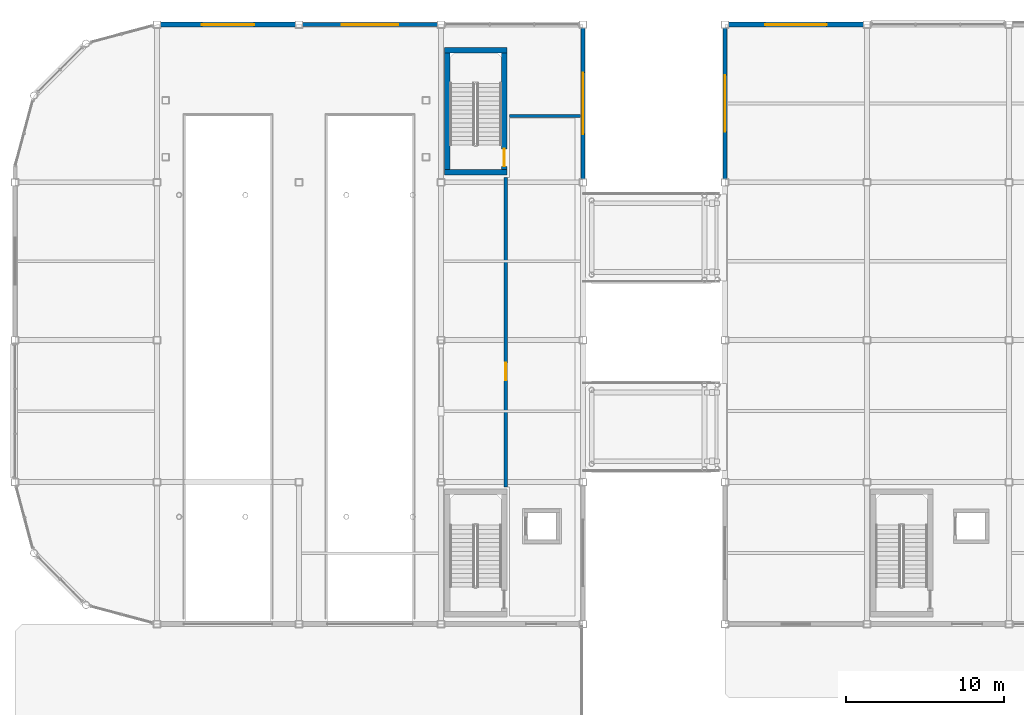
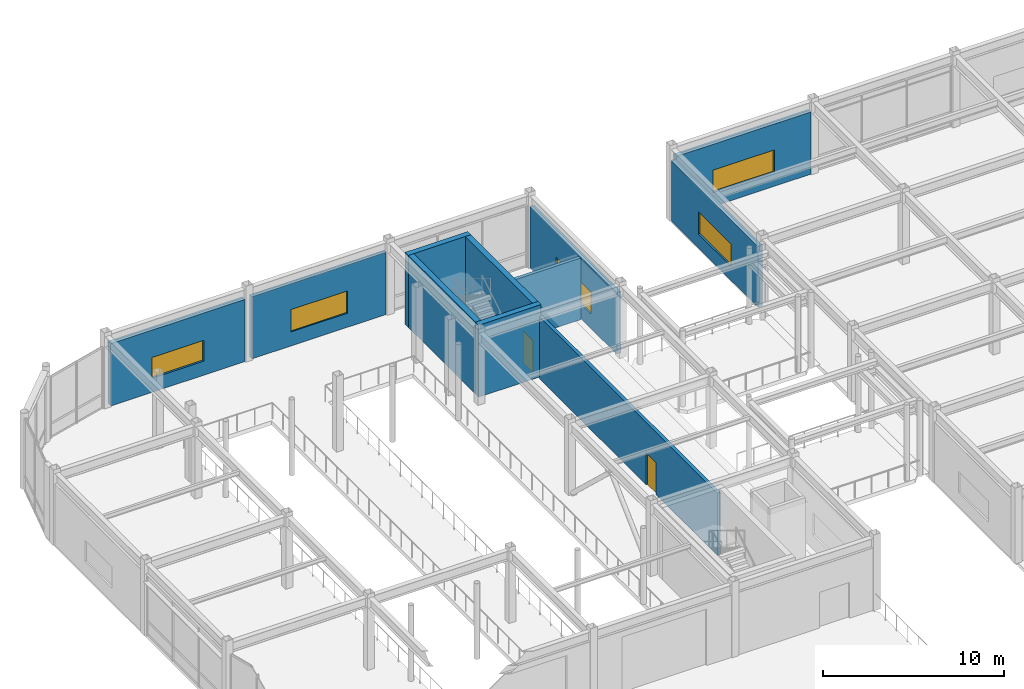
# One storey, part 88 of 123: 11 walls, 5 windows, 2 doors, 7 openings.
"""IFC4 building model written with IfcOpenShell, lengths in metres."""

from ifc_helpers import new_model, si_unit, direction, frame, frame_2d, origin, place, context, subcontext, project, spatial, rectangle, extrude, material, layer, layer_set, type_object, element, fill, save


model = new_model("IFC4")

# Units and contexts
model_context = context("Model", 3, precision=1e-05, world=origin(), true_north=direction((0.0, 1.0)))
body_context = subcontext(model_context, "Body", "Model", "MODEL_VIEW")
ifc_project = project(units=[si_unit("LENGTHUNIT", "METRE"), si_unit("AREAUNIT", "SQUARE_METRE"), si_unit("VOLUMEUNIT", "CUBIC_METRE"), si_unit("PLANEANGLEUNIT", "RADIAN"), si_unit("MASSUNIT", "GRAM", prefix="KILO")], contexts=[model_context])

# Site, building, storey
site_placement = place(None, origin())
site = spatial("IfcSite", under=ifc_project, at=site_placement, CompositionType="ELEMENT")
building_placement = place(site_placement, origin())
building = spatial("IfcBuilding", under=site, at=building_placement, Name="Suzunagisa Mobility Hub", CompositionType="ELEMENT")
storey_placement = place(building_placement, origin())
storey = spatial("IfcBuildingStorey", under=building, at=storey_placement, Name="L00", CompositionType="ELEMENT", Elevation=0.0)

# Wall, opening, window
ifc_material_1 = material(Name="Porcelain-Faced Insulated Concrete C30/37 Wall", Category="concrete")
ifc_layer_1 = layer(ifc_material_1, 0.260009765625)
ifc_layer_set_1 = layer_set([ifc_layer_1], Name="Porcelain-Faced Insulated Concrete C30/37 Wall")
wall_type_1 = type_object("IfcWallType", Name="Exterior Wall EW-03 260mm", PredefinedType="SOLIDWALL", material=ifc_layer_set_1)
wall_1_placement = place(storey_placement, frame((36.0, 108.22509765625, 0.0), z_axis=(0.0, 0.0, 1.0), x_axis=(0.0, 1.0, 0.0)))
wall_1 = element("IfcWall", 1, at=wall_1_placement, inside=storey, type_object=wall_type_1, Name="L00 Exterior Facade Wall EW-102", PredefinedType="SOLIDWALL", context=body_context, shape_type="SweptSolid", body=[
    extrude(rectangle(XDim=9.5498046875, YDim=0.260009765625, at=frame_2d((4.77490234375, 0.0))), origin(), (0.0, 0.0, 1.0), 4.139892578125),
])
opening_1_placement = place(wall_1_placement, frame((2.824951171875, 0.0, 0.949951171875)))
opening_1 = element("IfcOpeningElement", 2, at=opening_1_placement, cuts=wall_1, Name="Opening WN-11", PredefinedType="OPENING", context=body_context, shape_type="SweptSolid", body=[
    extrude(rectangle(XDim=3.89990234375, YDim=1.5, at=frame_2d((1.949951171875, 0.75))), frame((0.0, 0.14111328125, 0.0), z_axis=(0.0, -1.0, 0.0), x_axis=(1.0, 0.0, 0.0)), (0.0, 0.0, 1.0), 0.281982421875),
])
ifc_material_2 = material(Name="Thermally Broken Anodized Aluminum and Low-E Double Glazing", Category="aluminium")
window_type_1 = type_object("IfcWindowType", Name="Aluminum Window WN-11 3900x1500", PartitioningType="SINGLE_PANEL", PredefinedType="WINDOW", material=ifc_material_2)
window_1_placement = place(opening_1_placement, origin())
window_1 = element("IfcWindow", 3, at=window_1_placement, inside=storey, type_object=window_type_1, Name="L00 Scheduled Facade Window WN-26", OverallHeight=1.5, OverallWidth=3.89990234375, PartitioningType="SINGLE_PANEL", PredefinedType="WINDOW", context=body_context, shape_type="SweptSolid", body=[
    extrude(rectangle(XDim=3.89990234375, YDim=1.5, at=frame_2d((1.949951171875, 0.75))), frame((0.0, 0.030029296875, 0.0), z_axis=(0.0, -1.0, 0.0), x_axis=(1.0, 0.0, 0.0)), (0.0, 0.0, 1.0), 0.06005859375),
])
fill(opening_1, window_1)

ifc_material_3 = material(Name="Lightweight Insulated Autoclaved Concrete C30/37 Wall", Category="concrete")
ifc_layer_2 = layer(ifc_material_3, 0.239990234375)
ifc_layer_set_2 = layer_set([ifc_layer_2], Name="Lightweight Insulated Autoclaved Concrete C30/37 Wall")
wall_type_2 = type_object("IfcWallType", Name="Exterior Wall EW-04 240mm", PredefinedType="SOLIDWALL", material=ifc_layer_set_2)
wall_2_placement = place(storey_placement, frame((26.77490234375, 118.0, 0.0), z_axis=(0.0, 0.0, 1.0), x_axis=(-1.0, 0.0, 0.0)))
wall_2 = element("IfcWall", 4, at=wall_2_placement, inside=storey, type_object=wall_type_2, Name="L00 Exterior Facade Wall EW-103", PredefinedType="SOLIDWALL", context=body_context, shape_type="SweptSolid", body=[
    extrude(rectangle(XDim=8.5498046875, YDim=0.239990234375, at=frame_2d((4.27490234375, 0.0))), origin(), (0.0, 0.0, 1.0), 4.18994140625),
])
opening_2_placement = place(wall_2_placement, frame((2.47509765625, 0.0, 0.949951171875)))
opening_2 = element("IfcOpeningElement", 5, at=opening_2_placement, cuts=wall_2, Name="Opening WN-27", PredefinedType="OPENING", context=body_context, shape_type="SweptSolid", body=[
    extrude(rectangle(XDim=3.60009765625, YDim=1.5, at=frame_2d((1.800048828125, 0.75))), frame((0.0, 0.130859375, 0.0), z_axis=(0.0, -1.0, 0.0), x_axis=(1.0, 0.0, 0.0)), (0.0, 0.0, 1.0), 0.261962890625),
])
window_type_2 = type_object("IfcWindowType", Name="Aluminum Window WN-27 3600x1500", PartitioningType="SINGLE_PANEL", PredefinedType="WINDOW", material=ifc_material_2)
window_2_placement = place(opening_2_placement, origin())
window_2 = element("IfcWindow", 6, at=window_2_placement, inside=storey, type_object=window_type_2, Name="L00 Scheduled Facade Window WN-27", OverallHeight=1.5, OverallWidth=3.60009765625, PartitioningType="SINGLE_PANEL", PredefinedType="WINDOW", context=body_context, shape_type="SweptSolid", body=[
    extrude(rectangle(XDim=3.60009765625, YDim=1.5, at=frame_2d((1.800048828125, 0.75))), frame((0.0, 0.030029296875, 0.0), z_axis=(0.0, -1.0, 0.0), x_axis=(1.0, 0.0, 0.0)), (0.0, 0.0, 1.0), 0.06005859375),
])
fill(opening_2, window_2)

ifc_layer_3 = layer(ifc_material_1, 0.280029296875)
ifc_layer_set_3 = layer_set([ifc_layer_3], Name="Porcelain-Faced Insulated Concrete C30/37 Wall")
wall_type_3 = type_object("IfcWallType", Name="Exterior Wall EW-08 280mm", PredefinedType="SOLIDWALL", material=ifc_layer_set_3)
wall_3_placement = place(storey_placement, frame((45.0, 117.77490234375, 0.0), z_axis=(0.0, 0.0, 1.0), x_axis=(0.0, -1.0, 0.0)))
wall_3 = element("IfcWall", 7, at=wall_3_placement, inside=storey, type_object=wall_type_3, Name="L00 Exterior Facade Wall EW-177", PredefinedType="SOLIDWALL", context=body_context, shape_type="SweptSolid", body=[
    extrude(rectangle(XDim=9.5498046875, YDim=0.280029296875, at=frame_2d((4.77490234375, 0.0))), origin(), (0.0, 0.0, 1.0), 4.090087890625),
])
opening_3_placement = place(wall_3_placement, frame((2.97509765625, 0.0, 0.949951171875)))
opening_3 = element("IfcOpeningElement", 8, at=opening_3_placement, cuts=wall_3, Name="Opening WN-27", PredefinedType="OPENING", context=body_context, shape_type="SweptSolid", body=[
    extrude(rectangle(XDim=3.60009765625, YDim=1.5, at=frame_2d((1.800048828125, 0.75))), frame((0.0, 0.15087890625, 0.0), z_axis=(0.0, -1.0, 0.0), x_axis=(1.0, 0.0, 0.0)), (0.0, 0.0, 1.0), 0.302001953125),
])
window_3_placement = place(opening_3_placement, origin())
window_3 = element("IfcWindow", 9, at=window_3_placement, inside=storey, type_object=window_type_2, Name="L00 Scheduled Facade Window WN-51", OverallHeight=1.5, OverallWidth=3.60009765625, PartitioningType="SINGLE_PANEL", PredefinedType="WINDOW", context=body_context, shape_type="SweptSolid", body=[
    extrude(rectangle(XDim=3.60009765625, YDim=1.5, at=frame_2d((1.800048828125, 0.75))), frame((0.0, 0.030029296875, 0.0), z_axis=(0.0, -1.0, 0.0), x_axis=(1.0, 0.0, 0.0)), (0.0, 0.0, 1.0), 0.06005859375),
])
fill(opening_3, window_3)

ifc_material_4 = material(Name="Insulated Precast Concrete C35/45 Panel", Category="concrete")
ifc_layer_4 = layer(ifc_material_4, 0.300048828125)
ifc_layer_set_4 = layer_set([ifc_layer_4], Name="Insulated Precast Concrete C35/45 Panel")
wall_type_4 = type_object("IfcWallType", Name="Exterior Wall EW-09 300mm", PredefinedType="SOLIDWALL", material=ifc_layer_set_4)
wall_4_placement = place(storey_placement, frame((17.77490234375, 118.0, 0.0), z_axis=(0.0, 0.0, 1.0), x_axis=(-1.0, 0.0, 0.0)))
wall_4 = element("IfcWall", 10, at=wall_4_placement, inside=storey, type_object=wall_type_4, Name="L00 Exterior Facade Wall EW-104", PredefinedType="SOLIDWALL", context=body_context, shape_type="SweptSolid", body=[
    extrude(rectangle(XDim=8.5498046875, YDim=0.300048828125, at=frame_2d((4.27490234375, 0.0))), origin(), (0.0, 0.0, 1.0), 4.18994140625),
])
opening_4_placement = place(wall_4_placement, frame((2.625, 0.0, 0.949951171875)))
opening_4 = element("IfcOpeningElement", 11, at=opening_4_placement, cuts=wall_4, Name="Opening WN-19", PredefinedType="OPENING", context=body_context, shape_type="SweptSolid", body=[
    extrude(rectangle(XDim=3.300048828125, YDim=1.39990234375, at=frame_2d((1.64990234375, 0.699951171875))), frame((0.0, 0.1611328125, 0.0), z_axis=(0.0, -1.0, 0.0), x_axis=(1.0, 0.0, 0.0)), (0.0, 0.0, 1.0), 0.322021484375),
])
window_type_3 = type_object("IfcWindowType", Name="Aluminum Window WN-19 3300x1400", PartitioningType="SINGLE_PANEL", PredefinedType="WINDOW", material=ifc_material_2)
window_4_placement = place(opening_4_placement, origin())
window_4 = element("IfcWindow", 12, at=window_4_placement, inside=storey, type_object=window_type_3, Name="L00 Scheduled Facade Window WN-28", OverallHeight=1.39990234375, OverallWidth=3.300048828125, PartitioningType="SINGLE_PANEL", PredefinedType="WINDOW", context=body_context, shape_type="SweptSolid", body=[
    extrude(rectangle(XDim=3.300048828125, YDim=1.39990234375, at=frame_2d((1.64990234375, 0.699951171875))), frame((0.0, 0.030029296875, 0.0), z_axis=(0.0, -1.0, 0.0), x_axis=(1.0, 0.0, 0.0)), (0.0, 0.0, 1.0), 0.06005859375),
])
fill(opening_4, window_4)

wall_5_placement = place(storey_placement, frame((53.77490234375, 118.0, 0.0), z_axis=(0.0, 0.0, 1.0), x_axis=(-1.0, 0.0, 0.0)))
wall_5 = element("IfcWall", 13, at=wall_5_placement, inside=storey, type_object=wall_type_4, Name="L00 Exterior Facade Wall EW-176", PredefinedType="SOLIDWALL", context=body_context, shape_type="SweptSolid", body=[
    extrude(rectangle(XDim=8.5498046875, YDim=0.300048828125, at=frame_2d((4.27490234375, 0.0))), origin(), (0.0, 0.0, 1.0), 4.18994140625),
])
opening_5_placement = place(wall_5_placement, frame((2.324951171875, 0.0, 0.949951171875)))
opening_5 = element("IfcOpeningElement", 14, at=opening_5_placement, cuts=wall_5, Name="Opening WN-11", PredefinedType="OPENING", context=body_context, shape_type="SweptSolid", body=[
    extrude(rectangle(XDim=3.89990234375, YDim=1.5, at=frame_2d((1.949951171875, 0.75))), frame((0.0, 0.1611328125, 0.0), z_axis=(0.0, -1.0, 0.0), x_axis=(1.0, 0.0, 0.0)), (0.0, 0.0, 1.0), 0.322021484375),
])
window_5_placement = place(opening_5_placement, origin())
window_5 = element("IfcWindow", 15, at=window_5_placement, inside=storey, type_object=window_type_1, Name="L00 Scheduled Facade Window WN-50", OverallHeight=1.5, OverallWidth=3.89990234375, PartitioningType="SINGLE_PANEL", PredefinedType="WINDOW", context=body_context, shape_type="SweptSolid", body=[
    extrude(rectangle(XDim=3.89990234375, YDim=1.5, at=frame_2d((1.949951171875, 0.75))), frame((0.0, 0.030029296875, 0.0), z_axis=(0.0, -1.0, 0.0), x_axis=(1.0, 0.0, 0.0)), (0.0, 0.0, 1.0), 0.06005859375),
])
fill(opening_5, window_5)

# Wall
ifc_material_5 = material(Name="Fire-Rated Gypsum Stud Partition", Category="gypsum")
ifc_layer_5 = layer(ifc_material_5, 0.2099609375)
ifc_layer_set_5 = layer_set([ifc_layer_5], Name="Fire-Rated Gypsum Stud Partition")
wall_type_5 = type_object("IfcWallType", Name="Interior Wall IW-03 210mm", PredefinedType="PARTITIONING", material=ifc_layer_set_5)
wall_6_placement = place(storey_placement, frame((31.340087890625, 112.199951171875, 0.0), z_axis=(0.0, 0.0, 1.0), x_axis=(1.0, 0.0, 0.0)))
element("IfcWall", 16, at=wall_6_placement, inside=storey, type_object=wall_type_5, Name="L00 Core C6 and C6B Protected Exit Passage L00 Partition PW-748", PredefinedType="PARTITIONING", context=body_context, shape_type="SweptSolid", body=[
    extrude(rectangle(XDim=4.494873046875, YDim=0.2099609375, at=frame_2d((2.24755859375, 0.0))), origin(), (0.0, 0.0, 1.0), 4.139892578125),
])

# Wall, opening, door
wall_7_placement = place(storey_placement, frame((31.10009765625, 88.699951171875, 0.0), z_axis=(0.0, 0.0, 1.0), x_axis=(0.0, 1.0, 0.0)))
wall_7 = element("IfcWall", 17, at=wall_7_placement, inside=storey, type_object=wall_type_5, Name="L00 Core C6 and C6B Protected Exit Passage L00 Partition PW-749", PredefinedType="PARTITIONING", context=body_context, shape_type="SweptSolid", body=[
    extrude(rectangle(XDim=19.60009765625, YDim=0.2099609375, at=frame_2d((9.800048828125, 0.0))), origin(), (0.0, 0.0, 1.0), 4.18994140625),
])
opening_6_placement = place(wall_7_placement, frame((6.75, 0.0, 0.0)))
opening_6 = element("IfcOpeningElement", 18, at=opening_6_placement, cuts=wall_7, Name="Opening DR-11", PredefinedType="OPENING", context=body_context, shape_type="SweptSolid", body=[
    extrude(rectangle(XDim=1.10009765625, YDim=2.14990234375, at=frame_2d((0.550048828125, 1.074951171875))), frame((0.0, 0.115966796875, 0.0), z_axis=(0.0, -1.0, 0.0), x_axis=(1.0, 0.0, 0.0)), (0.0, 0.0, 1.0), 0.23193359375),
])
ifc_material_6 = material(Name="Riser and Switchroom Fire Door")
door_type_1 = type_object("IfcDoorType", Name="Interior Door DR-11 1100x2150", OperationType="SINGLE_SWING_LEFT", PredefinedType="DOOR", material=ifc_material_6)
door_1_placement = place(opening_6_placement, origin())
door_1 = element("IfcDoor", 19, at=door_1_placement, inside=storey, type_object=door_type_1, Name="L00 Core C6 and C6B Protected Exit Passage L00 Door DR-188", OperationType="SINGLE_SWING_LEFT", OverallHeight=2.14990234375, OverallWidth=1.10009765625, PredefinedType="DOOR", context=body_context, shape_type="SweptSolid", body=[
    extrude(rectangle(XDim=1.10009765625, YDim=2.14990234375, at=frame_2d((0.550048828125, 1.074951171875))), frame((0.0, 0.02490234375, 0.0), z_axis=(0.0, -1.0, 0.0), x_axis=(1.0, 0.0, 0.0)), (0.0, 0.0, 1.0), 0.050048828125),
])
fill(opening_6, door_1)

# Walls
ifc_material_7 = material(Name="Concrete C35/45", Category="concrete")
ifc_layer_6 = layer(ifc_material_7, 0.35009765625)
ifc_layer_set_6 = layer_set([ifc_layer_6], Name="Concrete C35/45")
wall_type_6 = type_object("IfcWallType", Name="Interior Wall IW-04 350mm", PredefinedType="SHEAR", material=ifc_layer_set_6)
for number, where, z_axis, x_axis, name in (
    (20, (27.2099609375, 108.625, 0.0), (0.0, 0.0, 1.0), (1.0, 0.0, 0.0), "L00 Core C6B Shear Wall SW-161"),
    (21, (27.2099609375, 116.375, 0.0), (0.0, 0.0, 1.0), (1.0, 0.0, 0.0), "L00 Core C6B Shear Wall SW-162"),
):
    element("IfcWall", number, at=place(storey_placement, frame(where, z_axis=z_axis, x_axis=x_axis)), inside=storey, type_object=wall_type_6, Name=name, PredefinedType="SHEAR", context=body_context, shape_type="SweptSolid", body=[
        extrude(rectangle(XDim=3.97998046875, YDim=0.35009765625, at=frame_2d((1.989990234375, 0.0))), origin(), (0.0, 0.0, 1.0), 4.840087890625),
    ])
wall_8_placement = place(storey_placement, frame((27.385009765625, 108.800048828125, 0.0), z_axis=(0.0, 0.0, 1.0), x_axis=(0.0, 1.0, 0.0)))
element("IfcWall", 22, at=wall_8_placement, inside=storey, type_object=wall_type_6, Name="L00 Core C6B Shear Wall SW-163", PredefinedType="SHEAR", context=body_context, shape_type="SweptSolid", body=[
    extrude(rectangle(XDim=7.39990234375, YDim=0.35009765625, at=frame_2d((3.699951171875, 0.0))), origin(), (0.0, 0.0, 1.0), 4.840087890625),
])

# Wall, opening, door
wall_9_placement = place(storey_placement, frame((31.014892578125, 108.800048828125, 0.0), z_axis=(0.0, 0.0, 1.0), x_axis=(0.0, 1.0, 0.0)))
wall_9 = element("IfcWall", 23, at=wall_9_placement, inside=storey, type_object=wall_type_6, Name="L00 Core C6B Shear Wall SW-164", PredefinedType="SHEAR", context=body_context, shape_type="SweptSolid", body=[
    extrude(rectangle(XDim=7.39990234375, YDim=0.35009765625, at=frame_2d((3.699951171875, 0.0))), origin(), (0.0, 0.0, 1.0), 4.840087890625),
])
opening_7_placement = place(wall_9_placement, frame((0.219970703125, 0.0, 0.0)))
opening_7 = element("IfcOpeningElement", 24, at=opening_7_placement, cuts=wall_9, Name="Opening DR-05", PredefinedType="OPENING", context=body_context, shape_type="SweptSolid", body=[
    extrude(rectangle(XDim=1.10009765625, YDim=2.14990234375, at=frame_2d((0.550048828125, 1.074951171875))), frame((0.0, 0.18603515625, 0.0), z_axis=(0.0, -1.0, 0.0), x_axis=(1.0, 0.0, 0.0)), (0.0, 0.0, 1.0), 0.3720703125),
])
ifc_material_8 = material(Name="Fire-Rated Hollow Steel Stair Door", Category="steel")
door_type_2 = type_object("IfcDoorType", Name="Interior Door DR-05 1100x2150", OperationType="SINGLE_SWING_LEFT", PredefinedType="DOOR", material=ifc_material_8)
door_2_placement = place(opening_7_placement, origin())
door_2 = element("IfcDoor", 25, at=door_2_placement, inside=storey, type_object=door_type_2, Name="L00 Core C6B Escape Stair Fire Door SD-39", OperationType="SINGLE_SWING_RIGHT", OverallHeight=2.14990234375, OverallWidth=1.10009765625, PredefinedType="DOOR", context=body_context, shape_type="SweptSolid", body=[
    extrude(rectangle(XDim=1.10009765625, YDim=2.14990234375, at=frame_2d((0.550048828125, 1.074951171875))), frame((0.0, 0.02490234375, 0.0), z_axis=(0.0, -1.0, 0.0), x_axis=(1.0, 0.0, 0.0)), (0.0, 0.0, 1.0), 0.050048828125),
])
fill(opening_7, door_2)

save(model, "model.ifc")
